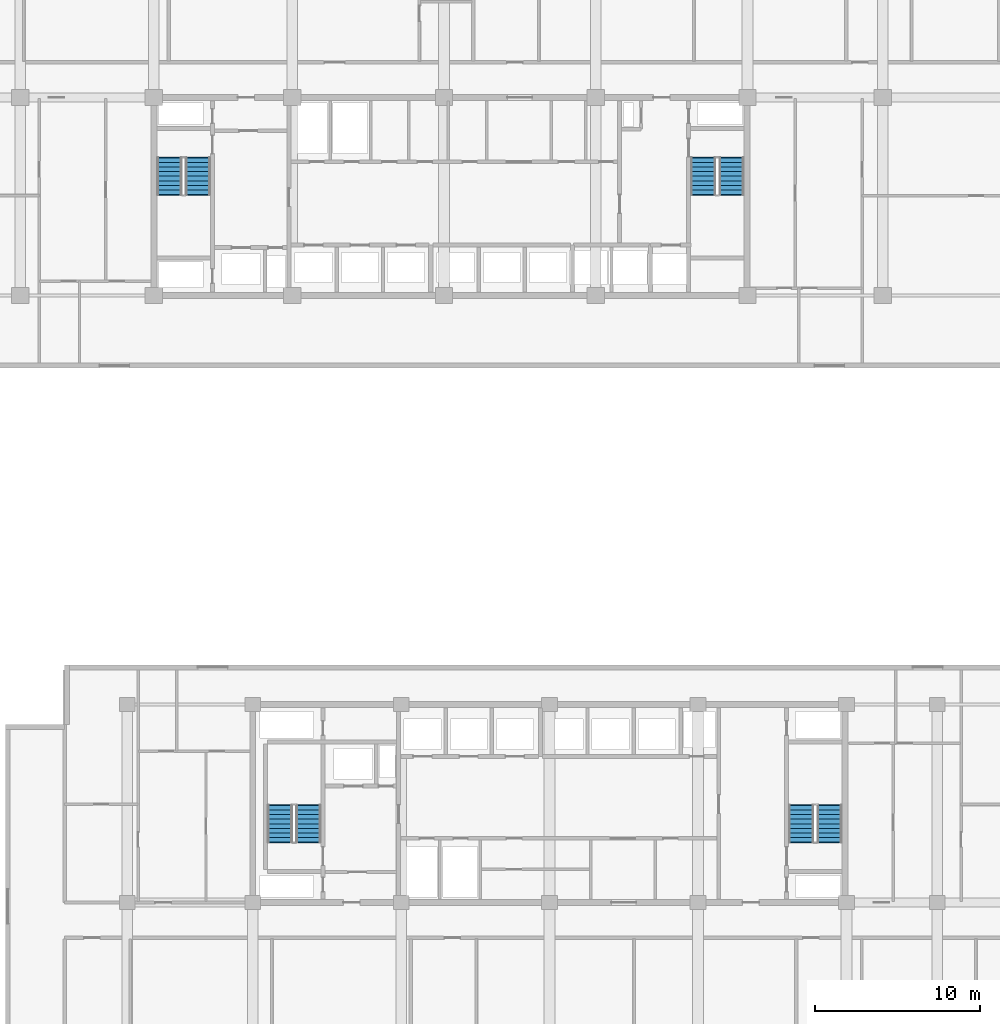
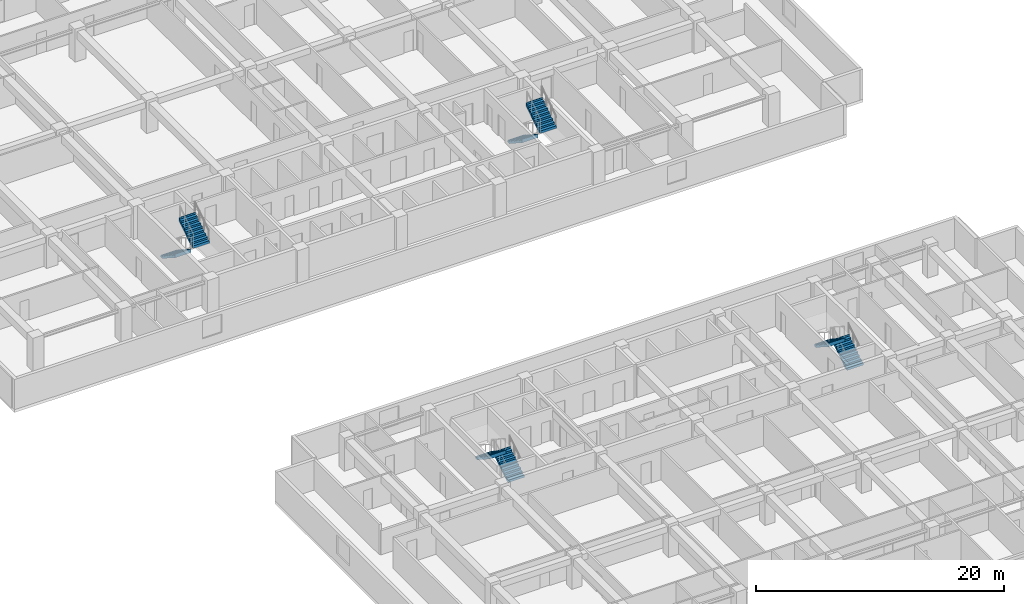
# One storey, part 18 of 23: 8 stair flights, 4 elements without a shape of their own.
"""IFC4 building model written with IfcOpenShell, lengths in metres."""

from ifc_helpers import new_model, si_unit, direction, frame, origin, place, context, subcontext, project, spatial, polyline, outline, extrude, material, type_object, element, aggregate, save


model = new_model("IFC4")

# Units and contexts
model_context = context("Model", 3, precision=1e-05, world=origin(), true_north=direction((0.0, 1.0)))
body_context = subcontext(model_context, "Body", "Model", "MODEL_VIEW")
ifc_project = project(units=[si_unit("LENGTHUNIT", "METRE"), si_unit("AREAUNIT", "SQUARE_METRE"), si_unit("VOLUMEUNIT", "CUBIC_METRE"), si_unit("PLANEANGLEUNIT", "RADIAN"), si_unit("MASSUNIT", "GRAM", prefix="KILO")], contexts=[model_context])

# Site, building, storey
site_placement = place(None, origin())
site = spatial("IfcSite", under=ifc_project, at=site_placement, CompositionType="ELEMENT")
building_placement = place(site_placement, origin())
building = spatial("IfcBuilding", under=site, at=building_placement, Name="Korimba Cascade Residences", CompositionType="ELEMENT")
storey_placement = place(building_placement, frame((0.0, 0.0, 59.75)))
storey = spatial("IfcBuildingStorey", under=building, at=storey_placement, Name="L16", CompositionType="ELEMENT", Elevation=59.75)

# Stair, stair flights
ifc_material = material(Name="Concrete C50/60", Category="concrete")
stair_type_1 = type_object("IfcStairType", Name="STR-W1-18R-1806", PredefinedType="HALF_TURN_STAIR", material=ifc_material)
stair_1_placement = place(storey_placement, origin())
stair_1 = element("IfcStair", 1, at=stair_1_placement, inside=storey, type_object=stair_type_1, Name="L16 Tower 1 West Fire Stair ST-W1", PredefinedType="HALF_TURN_STAIR")
stair_flight_type = type_object("IfcStairFlightType", Name="STF-DL-18R-1806-1520", PredefinedType="STRAIGHT", material=ifc_material)
stair_flight_1_placement = place(storey_placement, frame((77.06005859375, 63.550048828125, 0.0), z_axis=(0.0, 0.0, 1.0), x_axis=(0.0, -1.0, 0.0)))
stair_flight_1 = element("IfcStairFlight", 2, at=stair_flight_1_placement, type_object=stair_flight_type, Name="ST-W1 flight 1", NumberOfRisers=9, NumberOfTreads=8, PredefinedType="STRAIGHT", RiserHeight=0.180555556, TreadLength=0.28, context=body_context, shape_type="SweptSolid", body=[
    extrude(outline(polyline([(-0.0380859375, 0.0), (0.0, 0.1806640625), (0.280029296875, 0.1806640625), (0.280029296875, 0.361083984375), (0.56005859375, 0.361083984375), (0.56005859375, 0.541748046875), (0.840087890625, 0.541748046875), (0.840087890625, 0.72216796875), (1.1201171875, 0.72216796875), (1.1201171875, 0.90283203125), (1.39990234375, 0.90283203125), (1.39990234375, 1.083251953125), (1.679931640625, 1.083251953125), (1.679931640625, 1.263916015625), (1.9599609375, 1.263916015625), (1.9599609375, 1.4443359375), (2.239990234375, 1.4443359375), (2.239990234375, 1.625), (2.278076171875, 1.625), (2.278076171875, 1.26611328125), (0.276611328125, 0.0), (0.276611328125, -0.0380859375), (-0.0380859375, -0.0380859375), (-0.0380859375, 0.0)])), frame((0.0, 0.760009765625, 0.0), z_axis=(0.0, -1.0, 0.0), x_axis=(1.0, 0.0, 0.0)), (0.0, 0.0, 1.0), 1.52001953125),
])
stair_flight_2_placement = place(storey_placement, frame((78.780029296875, 61.31005859375, 1.625), z_axis=(0.0, 0.0, 1.0), x_axis=(0.0, 1.0, 0.0)))
stair_flight_2 = element("IfcStairFlight", 3, at=stair_flight_2_placement, type_object=stair_flight_type, Name="ST-W1 flight 2", NumberOfRisers=9, NumberOfTreads=8, PredefinedType="STRAIGHT", RiserHeight=0.180555556, TreadLength=0.28, context=body_context, shape_type="SweptSolid", body=[
    extrude(outline(polyline([(-0.0380859375, 0.0), (0.0, 0.1806640625), (0.280029296875, 0.1806640625), (0.280029296875, 0.361083984375), (0.56005859375, 0.361083984375), (0.56005859375, 0.541748046875), (0.840087890625, 0.541748046875), (0.840087890625, 0.72216796875), (1.1201171875, 0.72216796875), (1.1201171875, 0.90283203125), (1.39990234375, 0.90283203125), (1.39990234375, 1.083251953125), (1.679931640625, 1.083251953125), (1.679931640625, 1.263916015625), (1.9599609375, 1.263916015625), (1.9599609375, 1.4443359375), (2.239990234375, 1.4443359375), (2.239990234375, 1.625), (2.278076171875, 1.625), (2.278076171875, 1.26611328125), (0.276611328125, 0.0), (0.276611328125, -0.0380859375), (-0.0380859375, -0.0380859375), (-0.0380859375, 0.0)])), frame((0.0, 0.760009765625, 0.0), z_axis=(0.0, -1.0, 0.0), x_axis=(1.0, 0.0, 0.0)), (0.0, 0.0, 1.0), 1.52001953125),
])
aggregate(stair_1, [stair_flight_1, stair_flight_2])

stair_type_2 = type_object("IfcStairType", Name="STR-W2-18R-1806", PredefinedType="HALF_TURN_STAIR", material=ifc_material)
stair_2_placement = place(storey_placement, origin())
stair_2 = element("IfcStair", 4, at=stair_2_placement, inside=storey, type_object=stair_type_2, Name="L16 Tower 1 East Fire Stair ST-W2", PredefinedType="HALF_TURN_STAIR")
stair_flight_3_placement = place(storey_placement, frame((109.419921875, 63.550048828125, 0.0), z_axis=(0.0, 0.0, 1.0), x_axis=(0.0, -1.0, 0.0)))
stair_flight_3 = element("IfcStairFlight", 5, at=stair_flight_3_placement, type_object=stair_flight_type, Name="ST-W2 flight 1", NumberOfRisers=9, NumberOfTreads=8, PredefinedType="STRAIGHT", RiserHeight=0.180555556, TreadLength=0.28, context=body_context, shape_type="SweptSolid", body=[
    extrude(outline(polyline([(-0.0380859375, 0.0), (0.0, 0.1806640625), (0.280029296875, 0.1806640625), (0.280029296875, 0.361083984375), (0.56005859375, 0.361083984375), (0.56005859375, 0.541748046875), (0.840087890625, 0.541748046875), (0.840087890625, 0.72216796875), (1.1201171875, 0.72216796875), (1.1201171875, 0.90283203125), (1.39990234375, 0.90283203125), (1.39990234375, 1.083251953125), (1.679931640625, 1.083251953125), (1.679931640625, 1.263916015625), (1.9599609375, 1.263916015625), (1.9599609375, 1.4443359375), (2.239990234375, 1.4443359375), (2.239990234375, 1.625), (2.278076171875, 1.625), (2.278076171875, 1.26611328125), (0.276611328125, 0.0), (0.276611328125, -0.0380859375), (-0.0380859375, -0.0380859375), (-0.0380859375, 0.0)])), frame((0.0, 0.760009765625, 0.0), z_axis=(0.0, -1.0, 0.0), x_axis=(1.0, 0.0, 0.0)), (0.0, 0.0, 1.0), 1.52001953125),
])
stair_flight_4_placement = place(storey_placement, frame((111.139892578125, 61.31005859375, 1.625), z_axis=(0.0, 0.0, 1.0), x_axis=(0.0, 1.0, 0.0)))
stair_flight_4 = element("IfcStairFlight", 6, at=stair_flight_4_placement, type_object=stair_flight_type, Name="ST-W2 flight 2", NumberOfRisers=9, NumberOfTreads=8, PredefinedType="STRAIGHT", RiserHeight=0.180555556, TreadLength=0.28, context=body_context, shape_type="SweptSolid", body=[
    extrude(outline(polyline([(-0.0380859375, 0.0), (0.0, 0.1806640625), (0.280029296875, 0.1806640625), (0.280029296875, 0.361083984375), (0.56005859375, 0.361083984375), (0.56005859375, 0.541748046875), (0.840087890625, 0.541748046875), (0.840087890625, 0.72216796875), (1.1201171875, 0.72216796875), (1.1201171875, 0.90283203125), (1.39990234375, 0.90283203125), (1.39990234375, 1.083251953125), (1.679931640625, 1.083251953125), (1.679931640625, 1.263916015625), (1.9599609375, 1.263916015625), (1.9599609375, 1.4443359375), (2.239990234375, 1.4443359375), (2.239990234375, 1.625), (2.278076171875, 1.625), (2.278076171875, 1.26611328125), (0.276611328125, 0.0), (0.276611328125, -0.0380859375), (-0.0380859375, -0.0380859375), (-0.0380859375, 0.0)])), frame((0.0, 0.760009765625, 0.0), z_axis=(0.0, -1.0, 0.0), x_axis=(1.0, 0.0, 0.0)), (0.0, 0.0, 1.0), 1.52001953125),
])
aggregate(stair_2, [stair_flight_3, stair_flight_4])

stair_type_3 = type_object("IfcStairType", Name="STR-E1-18R-1806", PredefinedType="HALF_TURN_STAIR", material=ifc_material)
stair_3_placement = place(storey_placement, origin())
stair_3 = element("IfcStair", 7, at=stair_3_placement, inside=storey, type_object=stair_type_3, Name="L16 Tower 2 West Fire Stair ST-E1", PredefinedType="HALF_TURN_STAIR")
stair_flight_5_placement = place(storey_placement, frame((85.47998046875, 22.050048828125, 0.0), z_axis=(0.0, 0.0, 1.0), x_axis=(0.0, 1.0, 0.0)))
stair_flight_5 = element("IfcStairFlight", 8, at=stair_flight_5_placement, type_object=stair_flight_type, Name="ST-E1 flight 1", NumberOfRisers=9, NumberOfTreads=8, PredefinedType="STRAIGHT", RiserHeight=0.180555556, TreadLength=0.28, context=body_context, shape_type="SweptSolid", body=[
    extrude(outline(polyline([(-0.0380859375, 0.0), (0.0, 0.1806640625), (0.280029296875, 0.1806640625), (0.280029296875, 0.361083984375), (0.56005859375, 0.361083984375), (0.56005859375, 0.541748046875), (0.840087890625, 0.541748046875), (0.840087890625, 0.72216796875), (1.1201171875, 0.72216796875), (1.1201171875, 0.90283203125), (1.39990234375, 0.90283203125), (1.39990234375, 1.083251953125), (1.679931640625, 1.083251953125), (1.679931640625, 1.263916015625), (1.9599609375, 1.263916015625), (1.9599609375, 1.4443359375), (2.239990234375, 1.4443359375), (2.239990234375, 1.625), (2.278076171875, 1.625), (2.278076171875, 1.26611328125), (0.276611328125, 0.0), (0.276611328125, -0.0380859375), (-0.0380859375, -0.0380859375), (-0.0380859375, 0.0)])), frame((0.0, 0.760009765625, 0.0), z_axis=(0.0, -1.0, 0.0), x_axis=(1.0, 0.0, 0.0)), (0.0, 0.0, 1.0), 1.52001953125),
])
stair_flight_6_placement = place(storey_placement, frame((83.760009765625, 24.2900390625, 1.625), z_axis=(0.0, 0.0, 1.0), x_axis=(0.0, -1.0, 0.0)))
stair_flight_6 = element("IfcStairFlight", 9, at=stair_flight_6_placement, type_object=stair_flight_type, Name="ST-E1 flight 2", NumberOfRisers=9, NumberOfTreads=8, PredefinedType="STRAIGHT", RiserHeight=0.180555556, TreadLength=0.28, context=body_context, shape_type="SweptSolid", body=[
    extrude(outline(polyline([(-0.0380859375, 0.0), (0.0, 0.1806640625), (0.280029296875, 0.1806640625), (0.280029296875, 0.361083984375), (0.56005859375, 0.361083984375), (0.56005859375, 0.541748046875), (0.840087890625, 0.541748046875), (0.840087890625, 0.72216796875), (1.1201171875, 0.72216796875), (1.1201171875, 0.90283203125), (1.39990234375, 0.90283203125), (1.39990234375, 1.083251953125), (1.679931640625, 1.083251953125), (1.679931640625, 1.263916015625), (1.9599609375, 1.263916015625), (1.9599609375, 1.4443359375), (2.239990234375, 1.4443359375), (2.239990234375, 1.625), (2.278076171875, 1.625), (2.278076171875, 1.26611328125), (0.276611328125, 0.0), (0.276611328125, -0.0380859375), (-0.0380859375, -0.0380859375), (-0.0380859375, 0.0)])), frame((0.0, 0.760009765625, 0.0), z_axis=(0.0, -1.0, 0.0), x_axis=(1.0, 0.0, 0.0)), (0.0, 0.0, 1.0), 1.52001953125),
])
aggregate(stair_3, [stair_flight_5, stair_flight_6])

stair_type_4 = type_object("IfcStairType", Name="STR-E2-18R-1806", PredefinedType="HALF_TURN_STAIR", material=ifc_material)
stair_4_placement = place(storey_placement, origin())
stair_4 = element("IfcStair", 10, at=stair_4_placement, inside=storey, type_object=stair_type_4, Name="L16 Tower 2 East Fire Stair ST-E2", PredefinedType="HALF_TURN_STAIR")
stair_flight_7_placement = place(storey_placement, frame((117.080078125, 22.050048828125, 0.0), z_axis=(0.0, 0.0, 1.0), x_axis=(0.0, 1.0, 0.0)))
stair_flight_7 = element("IfcStairFlight", 11, at=stair_flight_7_placement, type_object=stair_flight_type, Name="ST-E2 flight 1", NumberOfRisers=9, NumberOfTreads=8, PredefinedType="STRAIGHT", RiserHeight=0.180555556, TreadLength=0.28, context=body_context, shape_type="SweptSolid", body=[
    extrude(outline(polyline([(-0.0380859375, 0.0), (0.0, 0.1806640625), (0.280029296875, 0.1806640625), (0.280029296875, 0.361083984375), (0.56005859375, 0.361083984375), (0.56005859375, 0.541748046875), (0.840087890625, 0.541748046875), (0.840087890625, 0.72216796875), (1.1201171875, 0.72216796875), (1.1201171875, 0.90283203125), (1.39990234375, 0.90283203125), (1.39990234375, 1.083251953125), (1.679931640625, 1.083251953125), (1.679931640625, 1.263916015625), (1.9599609375, 1.263916015625), (1.9599609375, 1.4443359375), (2.239990234375, 1.4443359375), (2.239990234375, 1.625), (2.278076171875, 1.625), (2.278076171875, 1.26611328125), (0.276611328125, 0.0), (0.276611328125, -0.0380859375), (-0.0380859375, -0.0380859375), (-0.0380859375, 0.0)])), frame((0.0, 0.760009765625, 0.0), z_axis=(0.0, -1.0, 0.0), x_axis=(1.0, 0.0, 0.0)), (0.0, 0.0, 1.0), 1.52001953125),
])
stair_flight_8_placement = place(storey_placement, frame((115.360107421875, 24.2900390625, 1.625), z_axis=(0.0, 0.0, 1.0), x_axis=(0.0, -1.0, 0.0)))
stair_flight_8 = element("IfcStairFlight", 12, at=stair_flight_8_placement, type_object=stair_flight_type, Name="ST-E2 flight 2", NumberOfRisers=9, NumberOfTreads=8, PredefinedType="STRAIGHT", RiserHeight=0.180555556, TreadLength=0.28, context=body_context, shape_type="SweptSolid", body=[
    extrude(outline(polyline([(-0.0380859375, 0.0), (0.0, 0.1806640625), (0.280029296875, 0.1806640625), (0.280029296875, 0.361083984375), (0.56005859375, 0.361083984375), (0.56005859375, 0.541748046875), (0.840087890625, 0.541748046875), (0.840087890625, 0.72216796875), (1.1201171875, 0.72216796875), (1.1201171875, 0.90283203125), (1.39990234375, 0.90283203125), (1.39990234375, 1.083251953125), (1.679931640625, 1.083251953125), (1.679931640625, 1.263916015625), (1.9599609375, 1.263916015625), (1.9599609375, 1.4443359375), (2.239990234375, 1.4443359375), (2.239990234375, 1.625), (2.278076171875, 1.625), (2.278076171875, 1.26611328125), (0.276611328125, 0.0), (0.276611328125, -0.0380859375), (-0.0380859375, -0.0380859375), (-0.0380859375, 0.0)])), frame((0.0, 0.760009765625, 0.0), z_axis=(0.0, -1.0, 0.0), x_axis=(1.0, 0.0, 0.0)), (0.0, 0.0, 1.0), 1.52001953125),
])
aggregate(stair_4, [stair_flight_7, stair_flight_8])

save(model, "model.ifc")
